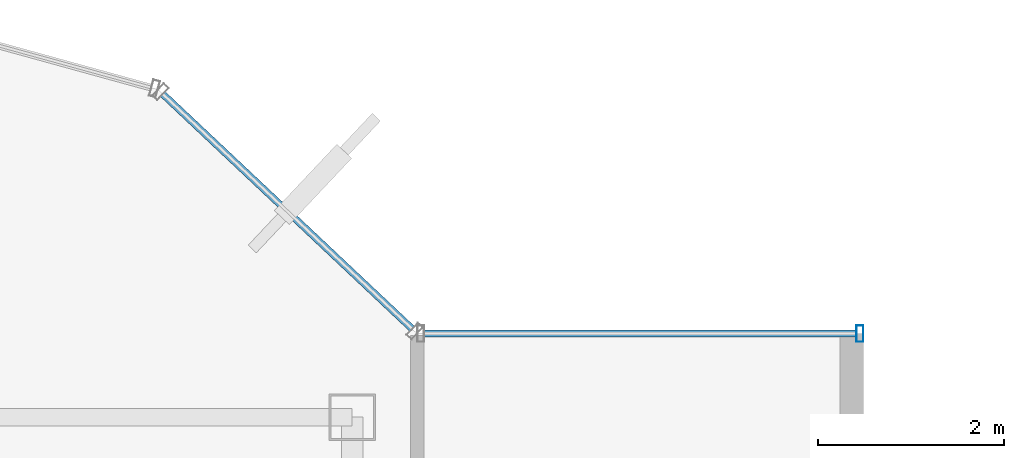
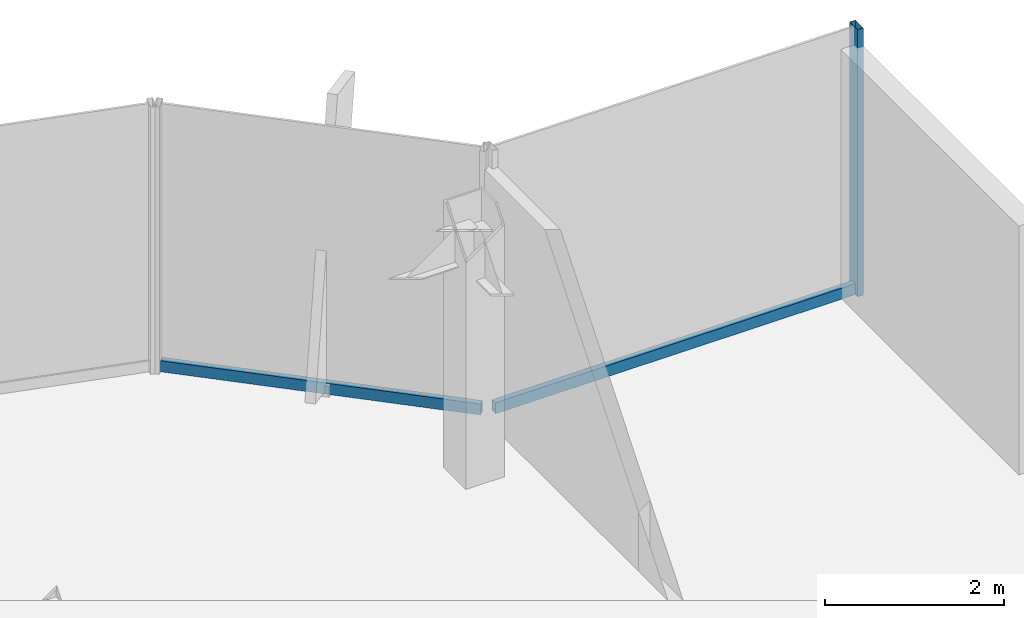
# One storey, part 14 of 21: 3 members, 2 elements without a shape of their own.
"""IFC4 building model written with IfcOpenShell, lengths in metres."""

import ifcopenshell
import ifcopenshell.guid

model = None  # the IFC model being written
_history = None  # IfcOwnerHistory: only IFC2X3 demands one
_inside = {}  # id of a spatial element -> (the spatial element, [elements in it])
_under = {}  # id of a project, library or spatial element -> (it, [spatial elements below it])
_declared = {}  # id of a project -> (the project, [libraries it declares])
_typed = {}  # id of a type object -> (the type object, [elements of that type])
_made_of = {}  # id of a material, layer set ... -> (it, [elements and type objects made of it])


def new_model(schema):
    """Start an empty IFC model of exactly this schema.

    Asked for "IFC4X3", IfcOpenShell would pick the latest addendum, in which some entities
    have other attributes; the version numbers below select the first issue.
    IFC2X3 requires an IfcOwnerHistory on every rooted entity: one is made here for all.
    """
    global model, _history
    if schema == "IFC4X3":
        model = ifcopenshell.file(schema_version=(4, 3, 0, 0))
    else:
        model = ifcopenshell.file(schema=schema)
    _inside.clear()
    _under.clear()
    _declared.clear()
    _typed.clear()
    _made_of.clear()
    _history = None
    if model.schema == "IFC2X3":
        org = make("IfcOrganization", Name="unknown")
        user = make(
            "IfcPersonAndOrganization",
            ThePerson=make("IfcPerson", FamilyName="unknown"),
            TheOrganization=org,
        )
        app = make(
            "IfcApplication",
            ApplicationDeveloper=org,
            Version="unknown",
            ApplicationFullName="unknown",
            ApplicationIdentifier="unknown",
        )
        _history = make(
            "IfcOwnerHistory",
            OwningUser=user,
            OwningApplication=app,
            ChangeAction="ADDED",
            CreationDate=0,
        )
    return model


def make(cls, **values):
    """One entity of the class cls with the attributes given. An attribute that is None is left unset."""
    return model.create_entity(
        cls, **{name: value for name, value in values.items() if value is not None}
    )


def rooted(cls, **values):
    """An entity with a GlobalId (a new one), such as an element, a storey or a relation."""
    return make(cls, GlobalId=ifcopenshell.guid.new(), OwnerHistory=_history, **values)


def si_unit(unit_type, name, prefix=None):
    """IfcSIUnit, for example si_unit("LENGTHUNIT", "METRE", prefix="MILLI")."""
    return make("IfcSIUnit", UnitType=unit_type, Prefix=prefix, Name=name)


def derived_unit(unit_type, elements):
    """IfcDerivedUnit: a product of units, each with its exponent."""
    return make(
        "IfcDerivedUnit",
        Elements=[
            make("IfcDerivedUnitElement", Unit=unit, Exponent=power)
            for unit, power in elements
        ],
        UnitType=unit_type,
    )


def assignment(units):
    """IfcUnitAssignment: the units of a project."""
    return None if units is None else make("IfcUnitAssignment", Units=units)


def point(xyz):
    """IfcCartesianPoint."""
    return None if xyz is None else make("IfcCartesianPoint", Coordinates=xyz)


def direction(xyz):
    """IfcDirection."""
    return None if xyz is None else make("IfcDirection", DirectionRatios=xyz)


def frame(location, z_axis=None, x_axis=None):
    """IfcAxis2Placement3D, a coordinate frame: its origin and axes. An axis left out is left unset."""
    return make(
        "IfcAxis2Placement3D",
        Location=point(location),
        Axis=direction(z_axis),
        RefDirection=direction(x_axis),
    )


def frame_2d(location, x_axis=None):
    """IfcAxis2Placement2D, a coordinate frame in the plane: its origin and x axis."""
    return make(
        "IfcAxis2Placement2D", Location=point(location), RefDirection=direction(x_axis)
    )


def origin():
    """The frame at (0, 0, 0) with its axes left unset."""
    return frame((0.0, 0.0, 0.0))


def origin_2d():
    """The frame at (0, 0) in the plane with its x axis left unset."""
    return frame_2d((0.0, 0.0))


def place(relative_to, where):
    """IfcLocalPlacement: puts the frame where relative to a parent placement (None: the world)."""
    return make(
        "IfcLocalPlacement", PlacementRelTo=relative_to, RelativePlacement=where
    )


def context(
    kind, dimensions, precision=None, world=None, true_north=None, identifier=None
):
    """IfcGeometricRepresentationContext, for example the 3D "Model" context."""
    return make(
        "IfcGeometricRepresentationContext",
        ContextIdentifier=identifier,
        ContextType=kind,
        CoordinateSpaceDimension=dimensions,
        Precision=precision,
        WorldCoordinateSystem=world,
        TrueNorth=true_north,
    )


def subcontext(parent, identifier, kind, view, scale=None):
    """IfcGeometricRepresentationSubContext, for example "Body" below "Model"."""
    return make(
        "IfcGeometricRepresentationSubContext",
        ContextIdentifier=identifier,
        ContextType=kind,
        ParentContext=parent,
        TargetScale=scale,
        TargetView=view,
    )


def project(units=None, contexts=None):
    """IfcProject with its units and contexts."""
    return rooted(
        "IfcProject",
        Name="project",
        RepresentationContexts=contexts,
        UnitsInContext=assignment(units),
    )


def spatial(cls, under=None, at=None, **own):
    """A site, building, storey or space (cls), placed at a placement, below another one or the project."""
    s = rooted(cls, ObjectPlacement=at, **own)
    if under is not None:
        _under.setdefault(under.id(), (under, []))[1].append(s)
    return s


def profile(cls, at=None, kind="AREA", **sizes):
    """A parametric profile (cls). Its sizes go by their IFC names, for example OverallWidth=200.0."""
    return make(cls, ProfileType=kind, Position=at, **sizes)


def hollow_rectangle(**sizes):
    """IfcRectangleHollowProfileDef."""
    return profile("IfcRectangleHollowProfileDef", **sizes)


def extrude(swept, where, along, depth):
    """IfcExtrudedAreaSolid: the profile swept, set in the frame where, extruded along a direction by depth."""
    return make(
        "IfcExtrudedAreaSolid",
        SweptArea=swept,
        Position=where,
        ExtrudedDirection=direction(along),
        Depth=depth,
    )


def shape(context_of_items, identifier, shape_type, items):
    """IfcShapeRepresentation: the items that make up one representation, for example the "Body"."""
    return make(
        "IfcShapeRepresentation",
        ContextOfItems=context_of_items,
        RepresentationIdentifier=identifier,
        RepresentationType=shape_type,
        Items=items,
    )


def source(mapping_origin, context_of_items, identifier, shape_type, items):
    """IfcRepresentationMap: a shape defined once, which mapped items show again and again."""
    return make(
        "IfcRepresentationMap",
        MappingOrigin=mapping_origin,
        MappedRepresentation=shape(context_of_items, identifier, shape_type, items),
    )


def transform(
    local_origin,
    x_axis=None,
    y_axis=None,
    z_axis=None,
    scale=None,
    scale2=None,
    scale3=None,
    uniform=True,
):
    """IfcCartesianTransformationOperator3D, or its non-uniform kind. x_axis, y_axis, z_axis: its Axis1, 2, 3."""
    if uniform:
        return make(
            "IfcCartesianTransformationOperator3D",
            Axis1=direction(x_axis),
            Axis2=direction(y_axis),
            LocalOrigin=point(local_origin),
            Scale=scale,
            Axis3=direction(z_axis),
        )
    return make(
        "IfcCartesianTransformationOperator3DnonUniform",
        Axis1=direction(x_axis),
        Axis2=direction(y_axis),
        LocalOrigin=point(local_origin),
        Scale=scale,
        Axis3=direction(z_axis),
        Scale2=scale2,
        Scale3=scale3,
    )


def mapped(mapping_source, mapping_target):
    """IfcMappedItem: shows the shape of a source again, moved by a transform."""
    return make(
        "IfcMappedItem", MappingSource=mapping_source, MappingTarget=mapping_target
    )


def material(Name=None, Category=None):
    """IfcMaterial."""
    return make("IfcMaterial", Name=Name, Category=Category)


def material_profile(
    of_material, cross_section, Name=None, Category=None, Priority=None
):
    """IfcMaterialProfile: a cross section and its material."""
    return make(
        "IfcMaterialProfile",
        Name=Name,
        Material=of_material,
        Profile=cross_section,
        Priority=Priority,
        Category=Category,
    )


def profile_set(profiles, Name=None, composite=None):
    """IfcMaterialProfileSet."""
    return make(
        "IfcMaterialProfileSet",
        Name=Name,
        MaterialProfiles=profiles,
        CompositeProfile=composite,
    )


def made_of(thing, what):
    """Note that an element or type object is made of a material, layer set ...; save() writes the relation."""
    if what is not None:
        _made_of.setdefault(what.id(), (what, []))[1].append(thing)
    return thing


def type_object(cls, material=None, **own):
    """A type object (cls), such as IfcWallType, which elements share."""
    return made_of(rooted(cls, **own), material)


def element(
    cls,
    number,
    at=None,
    inside=None,
    cuts=None,
    type_object=None,
    material=None,
    context=None,
    identifier="Body",
    shape_type=None,
    held_by="IfcProductDefinitionShape",
    body=None,
    shapes=None,
    **own,
):
    """One element of the class cls, such as IfcWall. Its Tag is "e" and its number.

    at: its placement. inside: the storey or other place that contains it. cuts: it is an
    opening in that element (IfcRelVoidsElement). A single representation is given by context,
    identifier, shape_type and body (its items); several are given by shapes. held_by: the class
    of the entity that holds the representations. save() writes the other relations.
    """
    e = rooted(cls, Tag="e%d" % number, ObjectPlacement=at, **own)
    if body is not None:
        shapes = [shape(context, identifier, shape_type, body)]
    if shapes is not None:
        e.Representation = make(held_by, Representations=shapes)
    if inside is not None:
        _inside.setdefault(inside.id(), (inside, []))[1].append(e)
    if cuts is not None:
        rooted(
            "IfcRelVoidsElement", RelatingBuildingElement=cuts, RelatedOpeningElement=e
        )
    if type_object is not None:
        _typed.setdefault(type_object.id(), (type_object, []))[1].append(e)
    return made_of(e, material)


def aggregate(whole, parts):
    """IfcRelAggregates: a whole, such as a stair, and the parts it consists of."""
    return rooted("IfcRelAggregates", RelatingObject=whole, RelatedObjects=parts)


def save(model, path):
    """Write the relations noted so far, then the file.

    IfcRelAggregates (storeys below a building ...), IfcRelContainedInSpatialStructure (elements
    in a storey), IfcRelDefinesByType, IfcRelAssociatesMaterial and IfcRelDeclares: one each for
    every whole, place, type object, material and project.
    """
    for whole, parts in _under.values():
        aggregate(whole, parts)
    for where, things in _inside.values():
        rooted(
            "IfcRelContainedInSpatialStructure",
            RelatedElements=things,
            RelatingStructure=where,
        )
    for kind, things in _typed.values():
        rooted("IfcRelDefinesByType", RelatedObjects=things, RelatingType=kind)
    for what, things in _made_of.values():
        rooted("IfcRelAssociatesMaterial", RelatedObjects=things, RelatingMaterial=what)
    for by, libraries in _declared.values():
        rooted("IfcRelDeclares", RelatingContext=by, RelatedDefinitions=libraries)
    model.write(path)


model = new_model("IFC4")

# Units and contexts
model_context = context("Model", 3, precision=1e-05, world=origin(), true_north=direction((0.0, 1.0)))
body_context = subcontext(model_context, "Body", "Model", "MODEL_VIEW")
ifc_project = project(units=[si_unit("LENGTHUNIT", "METRE"), si_unit("AREAUNIT", "SQUARE_METRE"), si_unit("VOLUMEUNIT", "CUBIC_METRE"), si_unit("PLANEANGLEUNIT", "RADIAN"), si_unit("MASSUNIT", "GRAM", prefix="KILO"), derived_unit("THERMALTRANSMITTANCEUNIT", [(si_unit("POWERUNIT", "WATT"), 1), (si_unit("LENGTHUNIT", "METRE"), -2), (si_unit("THERMODYNAMICTEMPERATUREUNIT", "KELVIN"), -1)])], contexts=[model_context])

# Site, building, storey
site_placement = place(None, origin())
site = spatial("IfcSite", under=ifc_project, at=site_placement, CompositionType="ELEMENT")
building_placement = place(site_placement, origin())
building = spatial("IfcBuilding", under=site, at=building_placement, Name="Skarnbrae Concourse Arena and Tower", CompositionType="ELEMENT")
storey_placement = place(building_placement, frame((0.0, 0.0, 188.60009765625)))
storey = spatial("IfcBuildingStorey", under=building, at=storey_placement, Name="L48", CompositionType="ELEMENT", Elevation=188.60009765625)

# Curtain wall, members
ifc_material = material(Name="Bronze anodised aluminium 6063-T6", Category="aluminium")
curtain_wall_type = type_object("IfcCurtainWallType", Name="CW-SYS-05-HIGHZONE", PredefinedType="USERDEFINED", material=ifc_material)
curtain_wall_1_placement = place(storey_placement, origin())
curtain_wall_1 = element("IfcCurtainWall", 1, at=curtain_wall_1_placement, inside=storey, type_object=curtain_wall_type, Name="L48 Unitised curtain wall CW-L48-E07", ObjectType="UNITISED CURTAIN WALL", PredefinedType="USERDEFINED")
ifc_material_profile_1 = material_profile(ifc_material, hollow_rectangle(XDim=0.074951171875, YDim=0.179931640625, WallThickness=0.00390625, at=origin_2d()), Name="ALU-MULL-75X180")
ifc_profile_set_1 = profile_set([ifc_material_profile_1], Name="Bronze anodised aluminium 6063-T6")
member_type_1 = type_object("IfcMemberType", Name="CWM-CW-05", PredefinedType="MULLION", material=ifc_profile_set_1)
shared_shape_1 = source(origin(), body_context, "Body", "SweptSolid", [
    extrude(hollow_rectangle(XDim=0.074951171875, YDim=0.179931640625, WallThickness=0.00390625, at=origin_2d()), origin(), (0.0, 0.0, 1.0), 3.64990234375),
])
member_1_placement = place(storey_placement, frame((38.96240234375, 35.300048828125, 0.0), z_axis=(0.0, 0.0, 1.0), x_axis=(-1.0, 0.0, 0.0)))
member_1 = element("IfcMember", 2, at=member_1_placement, type_object=member_type_1, Name="CW-L48-E07 Mullion 1", PredefinedType="MULLION", context=body_context, shape_type="MappedRepresentation", body=[
    mapped(shared_shape_1, transform((0.0, 0.0, 0.0))),
])
ifc_material_profile_2 = material_profile(ifc_material, hollow_rectangle(XDim=0.074951171875, YDim=0.14990234375, WallThickness=0.00390625, at=origin_2d()), Name="ALU-TRAN-75X150")
ifc_profile_set_2 = profile_set([ifc_material_profile_2], Name="Bronze anodised aluminium 6063-T6")
member_type_2 = type_object("IfcMemberType", Name="CWT-CW-05", PredefinedType="USERDEFINED", material=ifc_profile_set_2)
shared_shape_2 = source(origin(), body_context, "Body", "SweptSolid", [
    extrude(hollow_rectangle(XDim=0.074951171875, YDim=0.14990234375, WallThickness=0.00390625, at=origin_2d()), origin(), (0.0, 0.0, 1.0), 4.650146484375),
])
member_2_placement = place(storey_placement, frame((38.925048828125, 35.300048828125, 0.074951171875), z_axis=(-1.0, 0.0, 0.0), x_axis=(0.0, -1.0, 0.0)))
member_2 = element("IfcMember", 3, at=member_2_placement, type_object=member_type_2, Name="CW-L48-E07 Transom 1", ObjectType="TRANSOM", PredefinedType="USERDEFINED", context=body_context, shape_type="MappedRepresentation", body=[
    mapped(shared_shape_2, transform((0.0, 0.0, 0.0))),
])
aggregate(curtain_wall_1, [member_1, member_2])

# Curtain wall, member
curtain_wall_2_placement = place(storey_placement, origin())
curtain_wall_2 = element("IfcCurtainWall", 4, at=curtain_wall_2_placement, inside=storey, type_object=curtain_wall_type, Name="L48 Unitised curtain wall CW-L48-E08", ObjectType="UNITISED CURTAIN WALL", PredefinedType="USERDEFINED")
shared_shape_3 = source(origin(), body_context, "Body", "SweptSolid", [
    extrude(hollow_rectangle(XDim=0.074951171875, YDim=0.14990234375, WallThickness=0.00390625, at=origin_2d()), origin(), (0.0, 0.0, 1.0), 3.68212890625),
])
member_3_placement = place(storey_placement, frame((34.1455078125, 35.351318359375, 0.074951171875), z_axis=(-0.728133808476, 0.685435012933, 0.0), x_axis=(-0.685435012933, -0.728133808476, 0.0)))
member_3 = element("IfcMember", 5, at=member_3_placement, type_object=member_type_2, Name="CW-L48-E08 Transom 1", ObjectType="TRANSOM", PredefinedType="USERDEFINED", context=body_context, shape_type="MappedRepresentation", body=[
    mapped(shared_shape_3, transform((0.0, 0.0, 0.0))),
])
aggregate(curtain_wall_2, [member_3])

save(model, "model.ifc")
